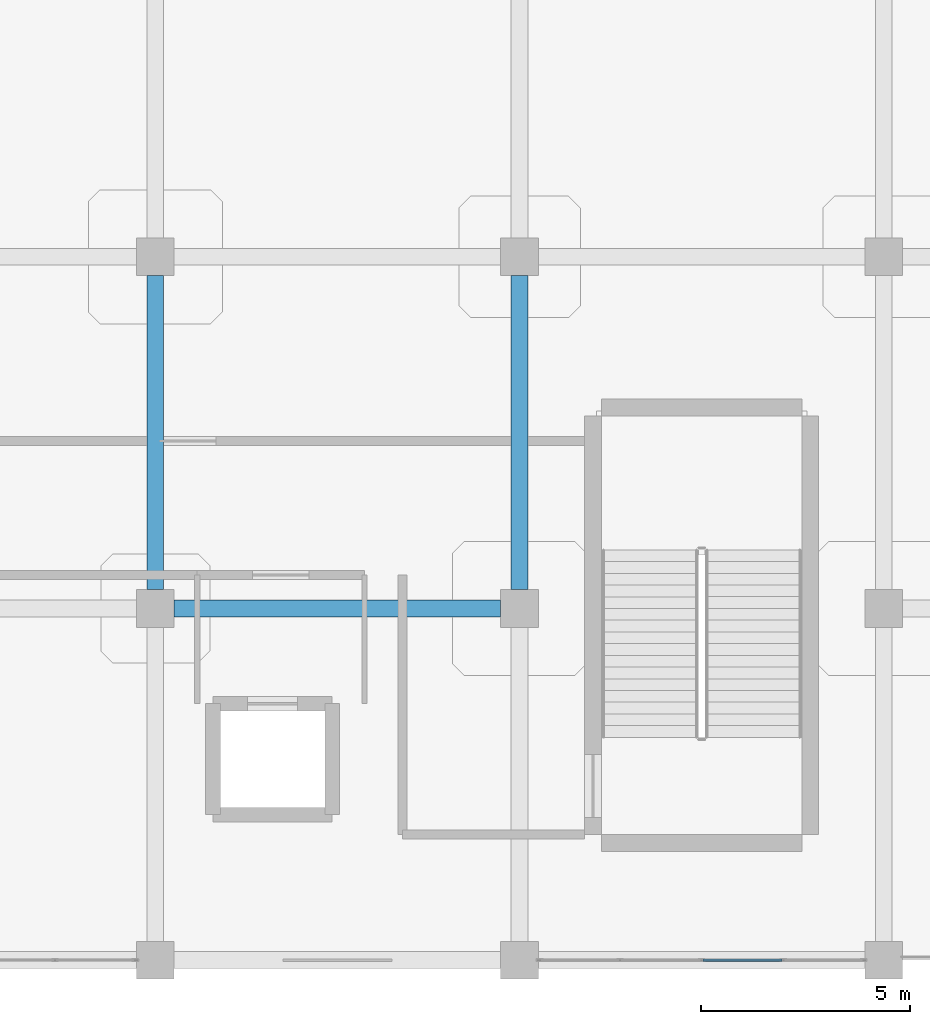
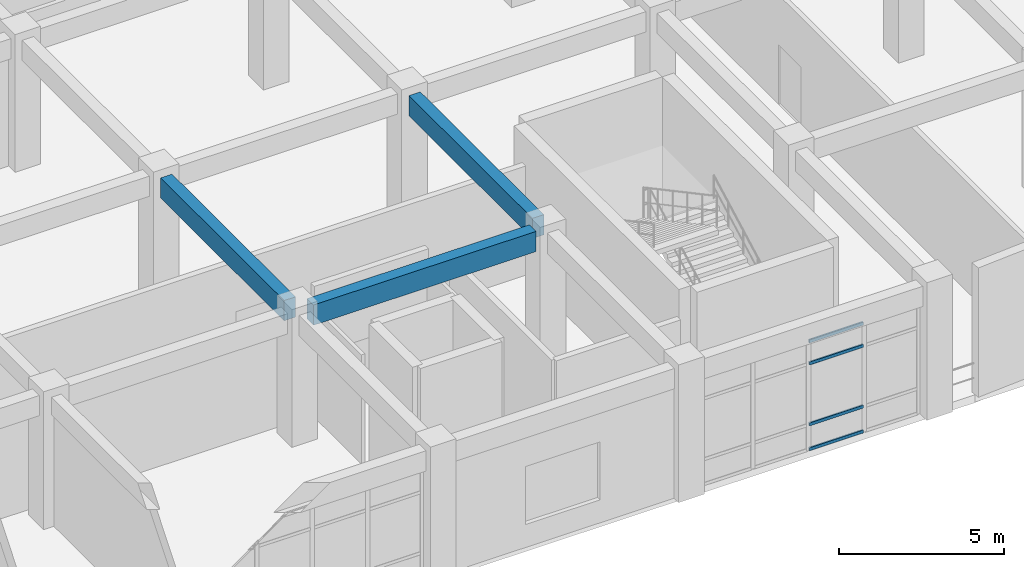
# One storey, part 58 of 120: 4 members, 3 beams, 1 element without a shape of its own.
"""IFC4 building model written with IfcOpenShell, lengths in metres."""

from ifc_helpers import new_model, si_unit, derived_unit, direction, frame, origin, origin_2d, place, context, subcontext, project, spatial, rectangle, hollow_rectangle, extrude, material, layer, layer_set, material_profile, profile_set, type_object, element, aggregate, save


model = new_model("IFC4")

# Units and contexts
model_context = context("Model", 3, precision=1e-05, world=origin(), true_north=direction((0.0, 1.0)))
body_context = subcontext(model_context, "Body", "Model", "MODEL_VIEW")
ifc_project = project(units=[si_unit("LENGTHUNIT", "METRE"), si_unit("AREAUNIT", "SQUARE_METRE"), si_unit("VOLUMEUNIT", "CUBIC_METRE"), si_unit("PLANEANGLEUNIT", "RADIAN"), si_unit("MASSUNIT", "GRAM", prefix="KILO"), derived_unit("THERMALTRANSMITTANCEUNIT", [(si_unit("MASSUNIT", "GRAM", prefix="KILO"), 1), (si_unit("TIMEUNIT", "SECOND"), -3), (si_unit("THERMODYNAMICTEMPERATUREUNIT", "KELVIN"), -1)])], contexts=[model_context])

# Site, building, storey
site_placement = place(None, origin())
site = spatial("IfcSite", under=ifc_project, at=site_placement, CompositionType="ELEMENT")
building_placement = place(site_placement, origin())
building = spatial("IfcBuilding", under=site, at=building_placement, Name="Qinzheling Arcade Emporium", CompositionType="ELEMENT")
storey_placement = place(building_placement, frame((0.0, 0.0, 11.39990234375)))
storey = spatial("IfcBuildingStorey", under=building, at=storey_placement, Name="L03", CompositionType="ELEMENT", Elevation=11.39990234375)

# Curtain wall, members
ifc_material_1 = material(Name="Anodised aluminium and solar-control double glazing", Category="aluminium")
ifc_layer = layer(ifc_material_1, 0.159912109375, Name="Anodised aluminium and solar-control double glazing", Category="aluminium")
ifc_layer_set = layer_set([ifc_layer], Name="Anodised aluminium and solar-control double glazing")
curtain_wall_type = type_object("IfcCurtainWallType", Name="Food Hall Loggia Curtain Wall", PredefinedType="NOTDEFINED", material=ifc_layer_set)
curtain_wall_placement = place(storey_placement, origin())
curtain_wall = element("IfcCurtainWall", 1, at=curtain_wall_placement, inside=storey, type_object=curtain_wall_type, Name="Curtain Wall CW-L03-137", PredefinedType="NOTDEFINED")
ifc_material_2 = material(Name="Anodised aluminium 6063-T6", Category="aluminium")
ifc_material_profile_1 = material_profile(ifc_material_2, hollow_rectangle(XDim=0.06005859375, YDim=0.1201171875, WallThickness=0.00390625, InnerFilletRadius=0.00390625, OuterFilletRadius=0.008056640625, at=origin_2d()), Name="RHS 120x60x4", Category="aluminium")
ifc_profile_set_1 = profile_set([ifc_material_profile_1], Name="Anodised aluminium 6063-T6")
member_type = type_object("IfcMemberType", Name="Curtain Wall Transom RHS120x60", PredefinedType="USERDEFINED", material=ifc_profile_set_1)
member_1_placement = place(storey_placement, frame((145.468994140625, 0.0, 0.030029296875), z_axis=(-1.0, 0.0, 0.0), x_axis=(0.0, -1.0, 0.0)))
member_1 = element("IfcMember", 2, at=member_1_placement, type_object=member_type, Name="CW04 transom 2.1", ObjectType="TRANSOM", PredefinedType="USERDEFINED", context=body_context, shape_type="SweptSolid", body=[
    extrude(hollow_rectangle(XDim=0.06005859375, YDim=0.1201171875, WallThickness=0.00390625, InnerFilletRadius=0.00390625, OuterFilletRadius=0.008056640625, at=origin_2d()), origin(), (0.0, 0.0, 1.0), 1.888916015625),
])
member_2_placement = place(storey_placement, frame((145.468994140625, 0.0, 0.9501953125), z_axis=(-1.0, 0.0, 0.0), x_axis=(0.0, -1.0, 0.0)))
member_2 = element("IfcMember", 3, at=member_2_placement, type_object=member_type, Name="CW04 transom 2.2", ObjectType="TRANSOM", PredefinedType="USERDEFINED", context=body_context, shape_type="SweptSolid", body=[
    extrude(hollow_rectangle(XDim=0.06005859375, YDim=0.1201171875, WallThickness=0.00390625, InnerFilletRadius=0.00390625, OuterFilletRadius=0.008056640625, at=origin_2d()), origin(), (0.0, 0.0, 1.0), 1.888916015625),
])
member_3_placement = place(storey_placement, frame((145.468994140625, 0.0, 3.205078125), z_axis=(-1.0, 0.0, 0.0), x_axis=(0.0, -1.0, 0.0)))
member_3 = element("IfcMember", 4, at=member_3_placement, type_object=member_type, Name="CW04 transom 2.3", ObjectType="TRANSOM", PredefinedType="USERDEFINED", context=body_context, shape_type="SweptSolid", body=[
    extrude(hollow_rectangle(XDim=0.06005859375, YDim=0.1201171875, WallThickness=0.00390625, InnerFilletRadius=0.00390625, OuterFilletRadius=0.008056640625, at=origin_2d()), origin(), (0.0, 0.0, 1.0), 1.888916015625),
])
member_4_placement = place(storey_placement, frame((145.468994140625, 0.0, 4.025146484375), z_axis=(-1.0, 0.0, 0.0), x_axis=(0.0, -1.0, 0.0)))
member_4 = element("IfcMember", 5, at=member_4_placement, type_object=member_type, Name="CW04 transom 2.4", ObjectType="TRANSOM", PredefinedType="USERDEFINED", context=body_context, shape_type="SweptSolid", body=[
    extrude(hollow_rectangle(XDim=0.06005859375, YDim=0.1201171875, WallThickness=0.00390625, InnerFilletRadius=0.00390625, OuterFilletRadius=0.008056640625, at=origin_2d()), origin(), (0.0, 0.0, 1.0), 1.888916015625),
])
aggregate(curtain_wall, [member_1, member_2, member_3, member_4])

# Beams
ifc_material_3 = material(Name="Concrete C40", Category="concrete")
ifc_material_profile_2 = material_profile(ifc_material_3, rectangle(XDim=0.39990234375, YDim=0.75, at=origin_2d()), Name="RC 400x750", Category="concrete")
ifc_profile_set_2 = profile_set([ifc_material_profile_2], Name="Concrete C40")
beam_type = type_object("IfcBeamType", Name="RC Interior Tie Beam 400x750 C40", PredefinedType="BEAM", material=ifc_profile_set_2)
beam_placement = place(storey_placement, frame((130.949951171875, 8.39990234375, 4.43017578125), z_axis=(1.0, 0.0, 0.0), x_axis=(0.0, 1.0, 0.0)))
element("IfcBeam", 6, at=beam_placement, inside=storey, type_object=beam_type, Name="Beam BM-L03-X-B-16", PredefinedType="BEAM", context=body_context, shape_type="SweptSolid", body=[
    extrude(rectangle(XDim=0.39990234375, YDim=0.75, at=origin_2d()), origin(), (0.0, 0.0, 1.0), 7.800048828125),
])
for number, where, z_axis, x_axis, name in (
    (7, (130.5, 8.85009765625, 4.43017578125), (0.0, 1.0, 0.0), (-1.0, 0.0, 0.0), "Beam BM-L03-Y-16-B"),
    (8, (139.199951171875, 8.85009765625, 4.43017578125), (0.0, 1.0, 0.0), (-1.0, 0.0, 0.0), "Beam BM-L03-Y-17-B"),
):
    element("IfcBeam", number, at=place(storey_placement, frame(where, z_axis=z_axis, x_axis=x_axis)), inside=storey, type_object=beam_type, Name=name, PredefinedType="BEAM", context=body_context, shape_type="SweptSolid", body=[
        extrude(rectangle(XDim=0.39990234375, YDim=0.75, at=origin_2d()), origin(), (0.0, 0.0, 1.0), 7.5),
    ])

save(model, "model.ifc")
